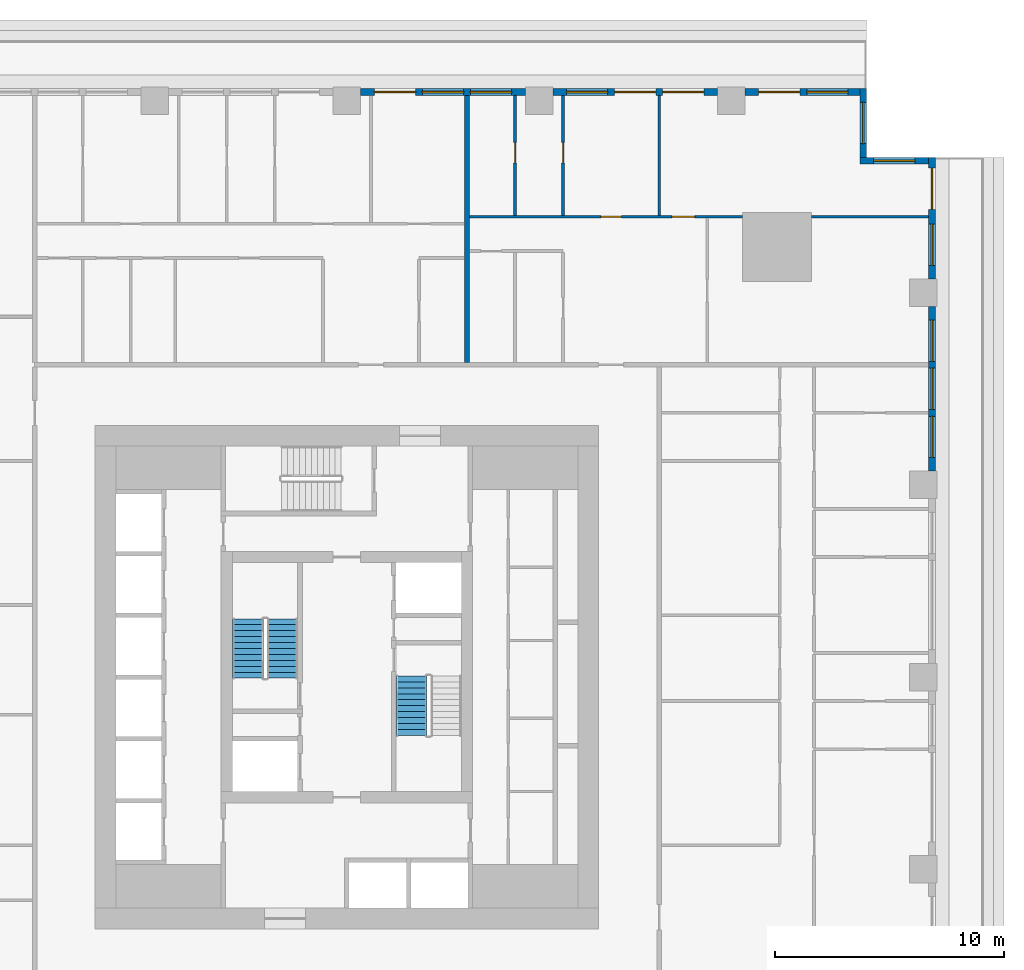
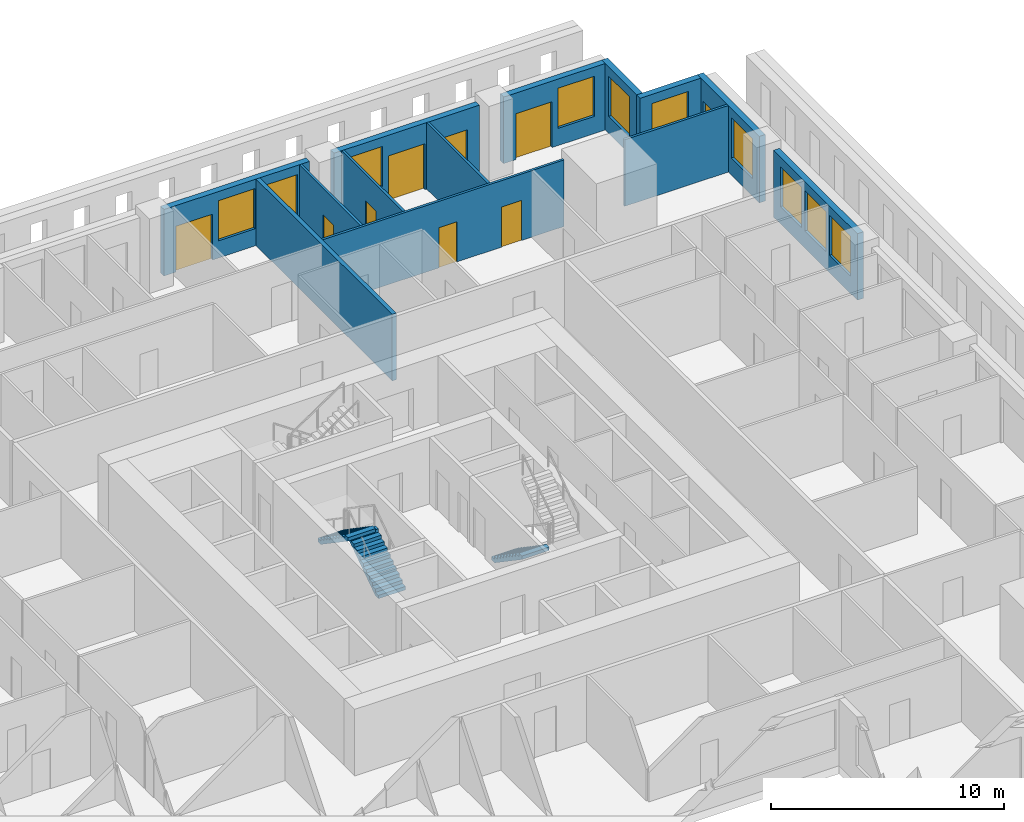
# One storey, part 9 of 15: 13 walls, 10 windows, 9 doors, 3 stair flights, 19 openings, 2 elements without a shape of their own.
"""IFC4 building model written with IfcOpenShell, lengths in metres."""

import ifcopenshell
import ifcopenshell.guid

model = None  # the IFC model being written
_history = None  # IfcOwnerHistory: only IFC2X3 demands one
_inside = {}  # id of a spatial element -> (the spatial element, [elements in it])
_under = {}  # id of a project, library or spatial element -> (it, [spatial elements below it])
_declared = {}  # id of a project -> (the project, [libraries it declares])
_typed = {}  # id of a type object -> (the type object, [elements of that type])
_made_of = {}  # id of a material, layer set ... -> (it, [elements and type objects made of it])


def new_model(schema):
    """Start an empty IFC model of exactly this schema.

    Asked for "IFC4X3", IfcOpenShell would pick the latest addendum, in which some entities
    have other attributes; the version numbers below select the first issue.
    IFC2X3 requires an IfcOwnerHistory on every rooted entity: one is made here for all.
    """
    global model, _history
    if schema == "IFC4X3":
        model = ifcopenshell.file(schema_version=(4, 3, 0, 0))
    else:
        model = ifcopenshell.file(schema=schema)
    _inside.clear()
    _under.clear()
    _declared.clear()
    _typed.clear()
    _made_of.clear()
    _history = None
    if model.schema == "IFC2X3":
        org = make("IfcOrganization", Name="unknown")
        user = make(
            "IfcPersonAndOrganization",
            ThePerson=make("IfcPerson", FamilyName="unknown"),
            TheOrganization=org,
        )
        app = make(
            "IfcApplication",
            ApplicationDeveloper=org,
            Version="unknown",
            ApplicationFullName="unknown",
            ApplicationIdentifier="unknown",
        )
        _history = make(
            "IfcOwnerHistory",
            OwningUser=user,
            OwningApplication=app,
            ChangeAction="ADDED",
            CreationDate=0,
        )
    return model


def make(cls, **values):
    """One entity of the class cls with the attributes given. An attribute that is None is left unset."""
    return model.create_entity(
        cls, **{name: value for name, value in values.items() if value is not None}
    )


def rooted(cls, **values):
    """An entity with a GlobalId (a new one), such as an element, a storey or a relation."""
    return make(cls, GlobalId=ifcopenshell.guid.new(), OwnerHistory=_history, **values)


def si_unit(unit_type, name, prefix=None):
    """IfcSIUnit, for example si_unit("LENGTHUNIT", "METRE", prefix="MILLI")."""
    return make("IfcSIUnit", UnitType=unit_type, Prefix=prefix, Name=name)


def assignment(units):
    """IfcUnitAssignment: the units of a project."""
    return None if units is None else make("IfcUnitAssignment", Units=units)


def point(xyz):
    """IfcCartesianPoint."""
    return None if xyz is None else make("IfcCartesianPoint", Coordinates=xyz)


def direction(xyz):
    """IfcDirection."""
    return None if xyz is None else make("IfcDirection", DirectionRatios=xyz)


def frame(location, z_axis=None, x_axis=None):
    """IfcAxis2Placement3D, a coordinate frame: its origin and axes. An axis left out is left unset."""
    return make(
        "IfcAxis2Placement3D",
        Location=point(location),
        Axis=direction(z_axis),
        RefDirection=direction(x_axis),
    )


def frame_2d(location, x_axis=None):
    """IfcAxis2Placement2D, a coordinate frame in the plane: its origin and x axis."""
    return make(
        "IfcAxis2Placement2D", Location=point(location), RefDirection=direction(x_axis)
    )


def origin():
    """The frame at (0, 0, 0) with its axes left unset."""
    return frame((0.0, 0.0, 0.0))


def place(relative_to, where):
    """IfcLocalPlacement: puts the frame where relative to a parent placement (None: the world)."""
    return make(
        "IfcLocalPlacement", PlacementRelTo=relative_to, RelativePlacement=where
    )


def context(
    kind, dimensions, precision=None, world=None, true_north=None, identifier=None
):
    """IfcGeometricRepresentationContext, for example the 3D "Model" context."""
    return make(
        "IfcGeometricRepresentationContext",
        ContextIdentifier=identifier,
        ContextType=kind,
        CoordinateSpaceDimension=dimensions,
        Precision=precision,
        WorldCoordinateSystem=world,
        TrueNorth=true_north,
    )


def subcontext(parent, identifier, kind, view, scale=None):
    """IfcGeometricRepresentationSubContext, for example "Body" below "Model"."""
    return make(
        "IfcGeometricRepresentationSubContext",
        ContextIdentifier=identifier,
        ContextType=kind,
        ParentContext=parent,
        TargetScale=scale,
        TargetView=view,
    )


def project(units=None, contexts=None):
    """IfcProject with its units and contexts."""
    return rooted(
        "IfcProject",
        Name="project",
        RepresentationContexts=contexts,
        UnitsInContext=assignment(units),
    )


def spatial(cls, under=None, at=None, **own):
    """A site, building, storey or space (cls), placed at a placement, below another one or the project."""
    s = rooted(cls, ObjectPlacement=at, **own)
    if under is not None:
        _under.setdefault(under.id(), (under, []))[1].append(s)
    return s


def polyline(points):
    """IfcPolyline through the points."""
    return make("IfcPolyline", Points=[point(p) for p in points])


def profile(cls, at=None, kind="AREA", **sizes):
    """A parametric profile (cls). Its sizes go by their IFC names, for example OverallWidth=200.0."""
    return make(cls, ProfileType=kind, Position=at, **sizes)


def rectangle(**sizes):
    """IfcRectangleProfileDef."""
    return profile("IfcRectangleProfileDef", **sizes)


def outline(outer, holes=None, kind="AREA"):
    """IfcArbitraryClosedProfileDef: a profile drawn as a closed curve; with holes, ...WithVoids."""
    if holes is None:
        return make("IfcArbitraryClosedProfileDef", ProfileType=kind, OuterCurve=outer)
    return make(
        "IfcArbitraryProfileDefWithVoids",
        ProfileType=kind,
        OuterCurve=outer,
        InnerCurves=holes,
    )


def extrude(swept, where, along, depth):
    """IfcExtrudedAreaSolid: the profile swept, set in the frame where, extruded along a direction by depth."""
    return make(
        "IfcExtrudedAreaSolid",
        SweptArea=swept,
        Position=where,
        ExtrudedDirection=direction(along),
        Depth=depth,
    )


def shape(context_of_items, identifier, shape_type, items):
    """IfcShapeRepresentation: the items that make up one representation, for example the "Body"."""
    return make(
        "IfcShapeRepresentation",
        ContextOfItems=context_of_items,
        RepresentationIdentifier=identifier,
        RepresentationType=shape_type,
        Items=items,
    )


def material(Name=None, Category=None):
    """IfcMaterial."""
    return make("IfcMaterial", Name=Name, Category=Category)


def layer(
    of_material, thickness, ventilated=None, Name=None, Category=None, Priority=None
):
    """IfcMaterialLayer: one layer of a wall or slab, of a material (None: an air gap)."""
    return make(
        "IfcMaterialLayer",
        Material=of_material,
        LayerThickness=thickness,
        IsVentilated=ventilated,
        Name=Name,
        Category=Category,
        Priority=Priority,
    )


def layer_set(layers, Name=None):
    """IfcMaterialLayerSet."""
    return make("IfcMaterialLayerSet", MaterialLayers=layers, LayerSetName=Name)


def made_of(thing, what):
    """Note that an element or type object is made of a material, layer set ...; save() writes the relation."""
    if what is not None:
        _made_of.setdefault(what.id(), (what, []))[1].append(thing)
    return thing


def type_object(cls, material=None, **own):
    """A type object (cls), such as IfcWallType, which elements share."""
    return made_of(rooted(cls, **own), material)


def element(
    cls,
    number,
    at=None,
    inside=None,
    cuts=None,
    type_object=None,
    material=None,
    context=None,
    identifier="Body",
    shape_type=None,
    held_by="IfcProductDefinitionShape",
    body=None,
    shapes=None,
    **own,
):
    """One element of the class cls, such as IfcWall. Its Tag is "e" and its number.

    at: its placement. inside: the storey or other place that contains it. cuts: it is an
    opening in that element (IfcRelVoidsElement). A single representation is given by context,
    identifier, shape_type and body (its items); several are given by shapes. held_by: the class
    of the entity that holds the representations. save() writes the other relations.
    """
    e = rooted(cls, Tag="e%d" % number, ObjectPlacement=at, **own)
    if body is not None:
        shapes = [shape(context, identifier, shape_type, body)]
    if shapes is not None:
        e.Representation = make(held_by, Representations=shapes)
    if inside is not None:
        _inside.setdefault(inside.id(), (inside, []))[1].append(e)
    if cuts is not None:
        rooted(
            "IfcRelVoidsElement", RelatingBuildingElement=cuts, RelatedOpeningElement=e
        )
    if type_object is not None:
        _typed.setdefault(type_object.id(), (type_object, []))[1].append(e)
    return made_of(e, material)


def fill(opening, filler):
    """IfcRelFillsElement: the door or window that sits in an opening."""
    return rooted(
        "IfcRelFillsElement",
        RelatingOpeningElement=opening,
        RelatedBuildingElement=filler,
    )


def aggregate(whole, parts):
    """IfcRelAggregates: a whole, such as a stair, and the parts it consists of."""
    return rooted("IfcRelAggregates", RelatingObject=whole, RelatedObjects=parts)


def save(model, path):
    """Write the relations noted so far, then the file.

    IfcRelAggregates (storeys below a building ...), IfcRelContainedInSpatialStructure (elements
    in a storey), IfcRelDefinesByType, IfcRelAssociatesMaterial and IfcRelDeclares: one each for
    every whole, place, type object, material and project.
    """
    for whole, parts in _under.values():
        aggregate(whole, parts)
    for where, things in _inside.values():
        rooted(
            "IfcRelContainedInSpatialStructure",
            RelatedElements=things,
            RelatingStructure=where,
        )
    for kind, things in _typed.values():
        rooted("IfcRelDefinesByType", RelatedObjects=things, RelatingType=kind)
    for what, things in _made_of.values():
        rooted("IfcRelAssociatesMaterial", RelatedObjects=things, RelatingMaterial=what)
    for by, libraries in _declared.values():
        rooted("IfcRelDeclares", RelatingContext=by, RelatedDefinitions=libraries)
    model.write(path)


model = new_model("IFC4")

# Units and contexts
model_context = context("Model", 3, precision=1e-05, world=origin(), true_north=direction((0.0, 1.0)))
body_context = subcontext(model_context, "Body", "Model", "MODEL_VIEW")
ifc_project = project(units=[si_unit("LENGTHUNIT", "METRE"), si_unit("AREAUNIT", "SQUARE_METRE"), si_unit("VOLUMEUNIT", "CUBIC_METRE"), si_unit("PLANEANGLEUNIT", "RADIAN"), si_unit("MASSUNIT", "GRAM", prefix="KILO")], contexts=[model_context])

# Site, building, storey
site_placement = place(None, origin())
site = spatial("IfcSite", under=ifc_project, at=site_placement, CompositionType="ELEMENT")
building_placement = place(site_placement, origin())
building = spatial("IfcBuilding", under=site, at=building_placement, Name="Khepri Terraces", CompositionType="ELEMENT")
storey_placement = place(building_placement, frame((0.0, 0.0, 46.5)))
storey = spatial("IfcBuildingStorey", under=building, at=storey_placement, Name="L10", CompositionType="ELEMENT", Elevation=46.5)

# Wall
ifc_material_1 = material(Name="Fire-rated gypsum plasterboard partition, mineral wool")
ifc_layer_1 = layer(ifc_material_1, 0.199951171875, Name="Fire-rated gypsum plasterboard partition, mineral wool")
ifc_layer_set_1 = layer_set([ifc_layer_1], Name="Fire-rated gypsum plasterboard partition, mineral wool")
wall_type_1 = type_object("IfcWallType", Name="WL-CORR-200", PredefinedType="PARTITIONING", material=ifc_layer_set_1)
wall_1_placement = place(storey_placement, frame((5.25, 13.75, 0.0), z_axis=(0.0, 0.0, 1.0), x_axis=(0.0, 1.0, 0.0)))
element("IfcWall", 1, at=wall_1_placement, inside=storey, type_object=wall_type_1, Name="Partition P-077 L10", PredefinedType="PARTITIONING", context=body_context, shape_type="SweptSolid", body=[
    extrude(rectangle(XDim=11.669921875, YDim=0.199951171875, at=frame_2d((5.8349609375, 0.0))), origin(), (0.0, 0.0, 1.0), 3.47998046875),
])

# Wall, openings, windows
ifc_material_2 = material(Name="Precast concrete C50/60 warm stone", Category="masonry")
ifc_layer_2 = layer(ifc_material_2, 0.300048828125, Name="Precast concrete C50/60 warm stone", Category="masonry")
ifc_layer_set_2 = layer_set([ifc_layer_2], Name="Precast concrete C50/60 warm stone")
wall_type_2 = type_object("IfcWallType", Name="WL-EXT-PRECAST-300", PredefinedType="STANDARD", material=ifc_layer_set_2)
wall_2_placement = place(storey_placement, frame((25.570068359375, 9.0, 0.0), z_axis=(0.0, 0.0, 1.0), x_axis=(0.0, 1.0, 0.0)))
wall_2 = element("IfcWall", 2, at=wall_2_placement, inside=storey, type_object=wall_type_2, Name="External wall L10 E", PredefinedType="STANDARD", context=body_context, shape_type="SweptSolid", body=[
    extrude(rectangle(XDim=7.199951171875, YDim=0.300048828125, at=frame_2d((3.60009765625, 0.0))), origin(), (0.0, 0.0, 1.0), 3.47998046875),
])
opening_1_placement = place(wall_2_placement, frame((0.60009765625, 0.0, 0.89990234375)))
opening_1 = element("IfcOpeningElement", 3, at=opening_1_placement, cuts=wall_2, Name="Opening W1", PredefinedType="OPENING", context=body_context, shape_type="SweptSolid", body=[
    extrude(rectangle(XDim=1.800048828125, YDim=2.10009765625, at=frame_2d((0.89990234375, 1.050048828125))), frame((0.0, 0.16015625, 0.0), z_axis=(0.0, -1.0, 0.0), x_axis=(1.0, 0.0, 0.0)), (0.0, 0.0, 1.0), 0.320068359375),
])
opening_2_placement = place(wall_2_placement, frame((2.699951171875, 0.0, 0.89990234375)))
opening_2 = element("IfcOpeningElement", 4, at=opening_2_placement, cuts=wall_2, Name="Opening W1", PredefinedType="OPENING", context=body_context, shape_type="SweptSolid", body=[
    extrude(rectangle(XDim=1.800048828125, YDim=2.10009765625, at=frame_2d((0.89990234375, 1.050048828125))), frame((0.0, 0.16015625, 0.0), z_axis=(0.0, -1.0, 0.0), x_axis=(1.0, 0.0, 0.0)), (0.0, 0.0, 1.0), 0.320068359375),
])
opening_3_placement = place(wall_2_placement, frame((4.800048828125, 0.0, 0.89990234375)))
opening_3 = element("IfcOpeningElement", 5, at=opening_3_placement, cuts=wall_2, Name="Opening W1", PredefinedType="OPENING", context=body_context, shape_type="SweptSolid", body=[
    extrude(rectangle(XDim=1.800048828125, YDim=2.10009765625, at=frame_2d((0.89990234375, 1.050048828125))), frame((0.0, 0.16015625, 0.0), z_axis=(0.0, -1.0, 0.0), x_axis=(1.0, 0.0, 0.0)), (0.0, 0.0, 1.0), 0.320068359375),
])
ifc_material_3 = material(Name="Clear glass", Category="glass")
window_type = type_object("IfcWindowType", Name="WIN-RES-1800x2100", PartitioningType="SINGLE_PANEL", PredefinedType="WINDOW", material=ifc_material_3)
window_1_placement = place(opening_1_placement, origin())
window_1 = element("IfcWindow", 6, at=window_1_placement, inside=storey, type_object=window_type, Name="Window L10 E", OverallHeight=2.10009765625, OverallWidth=1.800048828125, PartitioningType="SINGLE_PANEL", PredefinedType="WINDOW", context=body_context, shape_type="SweptSolid", body=[
    extrude(rectangle(XDim=1.800048828125, YDim=2.10009765625, at=frame_2d((0.89990234375, 1.050048828125))), frame((0.0, 0.030029296875, 0.0), z_axis=(0.0, -1.0, 0.0), x_axis=(1.0, 0.0, 0.0)), (0.0, 0.0, 1.0), 0.06005859375),
])
fill(opening_1, window_1)
window_2_placement = place(opening_2_placement, origin())
window_2 = element("IfcWindow", 7, at=window_2_placement, inside=storey, type_object=window_type, Name="Window L10 E", OverallHeight=2.10009765625, OverallWidth=1.800048828125, PartitioningType="SINGLE_PANEL", PredefinedType="WINDOW", context=body_context, shape_type="SweptSolid", body=[
    extrude(rectangle(XDim=1.800048828125, YDim=2.10009765625, at=frame_2d((0.89990234375, 1.050048828125))), frame((0.0, 0.030029296875, 0.0), z_axis=(0.0, -1.0, 0.0), x_axis=(1.0, 0.0, 0.0)), (0.0, 0.0, 1.0), 0.06005859375),
])
fill(opening_2, window_2)
window_3_placement = place(opening_3_placement, origin())
window_3 = element("IfcWindow", 8, at=window_3_placement, inside=storey, type_object=window_type, Name="Window L10 E", OverallHeight=2.10009765625, OverallWidth=1.800048828125, PartitioningType="SINGLE_PANEL", PredefinedType="WINDOW", context=body_context, shape_type="SweptSolid", body=[
    extrude(rectangle(XDim=1.800048828125, YDim=2.10009765625, at=frame_2d((0.89990234375, 1.050048828125))), frame((0.0, 0.030029296875, 0.0), z_axis=(0.0, -1.0, 0.0), x_axis=(1.0, 0.0, 0.0)), (0.0, 0.0, 1.0), 0.06005859375),
])
fill(opening_3, window_3)

# Wall, openings, door, window
wall_3_placement = place(storey_placement, frame((25.570068359375, 17.39990234375, 0.0), z_axis=(0.0, 0.0, 1.0), x_axis=(0.0, 1.0, 0.0)))
wall_3 = element("IfcWall", 9, at=wall_3_placement, inside=storey, type_object=wall_type_2, Name="External wall L10 E", PredefinedType="STANDARD", context=body_context, shape_type="SweptSolid", body=[
    extrude(rectangle(XDim=5.320068359375, YDim=0.300048828125, at=frame_2d((2.66015625, 0.0))), origin(), (0.0, 0.0, 1.0), 3.47998046875),
])
opening_4_placement = place(wall_3_placement, frame((0.60009765625, 0.0, 0.89990234375)))
opening_4 = element("IfcOpeningElement", 10, at=opening_4_placement, cuts=wall_3, Name="Opening W1", PredefinedType="OPENING", context=body_context, shape_type="SweptSolid", body=[
    extrude(rectangle(XDim=1.800048828125, YDim=2.10009765625, at=frame_2d((0.89990234375, 1.050048828125))), frame((0.0, 0.16015625, 0.0), z_axis=(0.0, -1.0, 0.0), x_axis=(1.0, 0.0, 0.0)), (0.0, 0.0, 1.0), 0.320068359375),
])
opening_5_placement = place(wall_3_placement, frame((3.044921875, 0.0, 0.0)))
opening_5 = element("IfcOpeningElement", 11, at=opening_5_placement, cuts=wall_3, Name="Opening ED-L10-05", PredefinedType="OPENING", context=body_context, shape_type="SweptSolid", body=[
    extrude(rectangle(XDim=1.800048828125, YDim=2.39990234375, at=frame_2d((0.89990234375, 1.199951171875))), frame((0.0, 0.16015625, 0.0), z_axis=(0.0, -1.0, 0.0), x_axis=(1.0, 0.0, 0.0)), (0.0, 0.0, 1.0), 0.320068359375),
])
ifc_material_4 = material(Name="Anodised aluminium bronze glazed door", Category="aluminium")
door_type_1 = type_object("IfcDoorType", Name="DR-BAL-SLIDE-1800x2400", OperationType="NOTDEFINED", PredefinedType="DOOR", material=ifc_material_4)
door_1_placement = place(opening_5_placement, origin())
door_1 = element("IfcDoor", 12, at=door_1_placement, inside=storey, type_object=door_type_1, Name="Balcony door L10 E", OperationType="SLIDING_TO_RIGHT", OverallHeight=2.39990234375, OverallWidth=1.800048828125, PredefinedType="DOOR", context=body_context, shape_type="SweptSolid", body=[
    extrude(rectangle(XDim=1.800048828125, YDim=2.39990234375, at=frame_2d((0.89990234375, 1.199951171875))), frame((0.0, 0.02490234375, 0.0), z_axis=(0.0, -1.0, 0.0), x_axis=(1.0, 0.0, 0.0)), (0.0, 0.0, 1.0), 0.050048828125),
])
fill(opening_5, door_1)
window_4_placement = place(opening_4_placement, origin())
window_4 = element("IfcWindow", 13, at=window_4_placement, inside=storey, type_object=window_type, Name="Window L10 E", OverallHeight=2.10009765625, OverallWidth=1.800048828125, PartitioningType="SINGLE_PANEL", PredefinedType="WINDOW", context=body_context, shape_type="SweptSolid", body=[
    extrude(rectangle(XDim=1.800048828125, YDim=2.10009765625, at=frame_2d((0.89990234375, 1.050048828125))), frame((0.0, 0.030029296875, 0.0), z_axis=(0.0, -1.0, 0.0), x_axis=(1.0, 0.0, 0.0)), (0.0, 0.0, 1.0), 0.06005859375),
])
fill(opening_4, window_4)

# Wall, opening, window
wall_4_placement = place(storey_placement, frame((25.419921875, 22.570068359375, 0.0), z_axis=(0.0, 0.0, 1.0), x_axis=(-1.0, 0.0, 0.0)))
wall_4 = element("IfcWall", 14, at=wall_4_placement, inside=storey, type_object=wall_type_2, Name="External wall L10 N", PredefinedType="STANDARD", context=body_context, shape_type="SweptSolid", body=[
    extrude(rectangle(XDim=3.0, YDim=0.300048828125, at=frame_2d((1.5, 0.0))), origin(), (0.0, 0.0, 1.0), 3.47998046875),
])
opening_6_placement = place(wall_4_placement, frame((0.60009765625, 0.0, 0.89990234375)))
opening_6 = element("IfcOpeningElement", 15, at=opening_6_placement, cuts=wall_4, Name="Opening W1", PredefinedType="OPENING", context=body_context, shape_type="SweptSolid", body=[
    extrude(rectangle(XDim=1.800048828125, YDim=2.10009765625, at=frame_2d((0.89990234375, 1.050048828125))), frame((0.0, 0.16015625, 0.0), z_axis=(0.0, -1.0, 0.0), x_axis=(1.0, 0.0, 0.0)), (0.0, 0.0, 1.0), 0.320068359375),
])
window_5_placement = place(opening_6_placement, origin())
window_5 = element("IfcWindow", 16, at=window_5_placement, inside=storey, type_object=window_type, Name="Window L10 N", OverallHeight=2.10009765625, OverallWidth=1.800048828125, PartitioningType="SINGLE_PANEL", PredefinedType="WINDOW", context=body_context, shape_type="SweptSolid", body=[
    extrude(rectangle(XDim=1.800048828125, YDim=2.10009765625, at=frame_2d((0.89990234375, 1.050048828125))), frame((0.0, 0.030029296875, 0.0), z_axis=(0.0, -1.0, 0.0), x_axis=(1.0, 0.0, 0.0)), (0.0, 0.0, 1.0), 0.06005859375),
])
fill(opening_6, window_5)

wall_5_placement = place(storey_placement, frame((22.570068359375, 22.719970703125, 0.0), z_axis=(0.0, 0.0, 1.0), x_axis=(0.0, 1.0, 0.0)))
wall_5 = element("IfcWall", 17, at=wall_5_placement, inside=storey, type_object=wall_type_2, Name="External wall L10 E", PredefinedType="STANDARD", context=body_context, shape_type="SweptSolid", body=[
    extrude(rectangle(XDim=3.0, YDim=0.300048828125, at=frame_2d((1.5, 0.0))), origin(), (0.0, 0.0, 1.0), 3.47998046875),
])
opening_7_placement = place(wall_5_placement, frame((0.60009765625, 0.0, 0.89990234375)))
opening_7 = element("IfcOpeningElement", 18, at=opening_7_placement, cuts=wall_5, Name="Opening W1", PredefinedType="OPENING", context=body_context, shape_type="SweptSolid", body=[
    extrude(rectangle(XDim=1.800048828125, YDim=2.10009765625, at=frame_2d((0.89990234375, 1.050048828125))), frame((0.0, 0.16015625, 0.0), z_axis=(0.0, -1.0, 0.0), x_axis=(1.0, 0.0, 0.0)), (0.0, 0.0, 1.0), 0.320068359375),
])
window_6_placement = place(opening_7_placement, origin())
window_6 = element("IfcWindow", 19, at=window_6_placement, inside=storey, type_object=window_type, Name="Window L10 E", OverallHeight=2.10009765625, OverallWidth=1.800048828125, PartitioningType="SINGLE_PANEL", PredefinedType="WINDOW", context=body_context, shape_type="SweptSolid", body=[
    extrude(rectangle(XDim=1.800048828125, YDim=2.10009765625, at=frame_2d((0.89990234375, 1.050048828125))), frame((0.0, 0.030029296875, 0.0), z_axis=(0.0, -1.0, 0.0), x_axis=(1.0, 0.0, 0.0)), (0.0, 0.0, 1.0), 0.06005859375),
])
fill(opening_7, window_6)

# Wall, openings, door, window
wall_6_placement = place(storey_placement, frame((22.419921875, 25.570068359375, 0.0), z_axis=(0.0, 0.0, 1.0), x_axis=(-1.0, 0.0, 0.0)))
wall_6 = element("IfcWall", 20, at=wall_6_placement, inside=storey, type_object=wall_type_2, Name="External wall L10 N", PredefinedType="STANDARD", context=body_context, shape_type="SweptSolid", body=[
    extrude(rectangle(XDim=5.02001953125, YDim=0.300048828125, at=frame_2d((2.510009765625, 0.0))), origin(), (0.0, 0.0, 1.0), 3.47998046875),
])
opening_8_placement = place(wall_6_placement, frame((0.52001953125, 0.0, 0.89990234375)))
opening_8 = element("IfcOpeningElement", 21, at=opening_8_placement, cuts=wall_6, Name="Opening W1", PredefinedType="OPENING", context=body_context, shape_type="SweptSolid", body=[
    extrude(rectangle(XDim=1.800048828125, YDim=2.10009765625, at=frame_2d((0.89990234375, 1.050048828125))), frame((0.0, 0.16015625, 0.0), z_axis=(0.0, -1.0, 0.0), x_axis=(1.0, 0.0, 0.0)), (0.0, 0.0, 1.0), 0.320068359375),
])
opening_9_placement = place(wall_6_placement, frame((2.6201171875, 0.0, 0.0)))
opening_9 = element("IfcOpeningElement", 22, at=opening_9_placement, cuts=wall_6, Name="Opening ED-L10-06", PredefinedType="OPENING", context=body_context, shape_type="SweptSolid", body=[
    extrude(rectangle(XDim=1.800048828125, YDim=2.39990234375, at=frame_2d((0.89990234375, 1.199951171875))), frame((0.0, 0.16015625, 0.0), z_axis=(0.0, -1.0, 0.0), x_axis=(1.0, 0.0, 0.0)), (0.0, 0.0, 1.0), 0.320068359375),
])
door_2_placement = place(opening_9_placement, origin())
door_2 = element("IfcDoor", 23, at=door_2_placement, inside=storey, type_object=door_type_1, Name="Balcony door L10 N", OperationType="SLIDING_TO_RIGHT", OverallHeight=2.39990234375, OverallWidth=1.800048828125, PredefinedType="DOOR", context=body_context, shape_type="SweptSolid", body=[
    extrude(rectangle(XDim=1.800048828125, YDim=2.39990234375, at=frame_2d((0.89990234375, 1.199951171875))), frame((0.0, 0.02490234375, 0.0), z_axis=(0.0, -1.0, 0.0), x_axis=(1.0, 0.0, 0.0)), (0.0, 0.0, 1.0), 0.050048828125),
])
fill(opening_9, door_2)
window_7_placement = place(opening_8_placement, origin())
window_7 = element("IfcWindow", 24, at=window_7_placement, inside=storey, type_object=window_type, Name="Window L10 N", OverallHeight=2.10009765625, OverallWidth=1.800048828125, PartitioningType="SINGLE_PANEL", PredefinedType="WINDOW", context=body_context, shape_type="SweptSolid", body=[
    extrude(rectangle(XDim=1.800048828125, YDim=2.10009765625, at=frame_2d((0.89990234375, 1.050048828125))), frame((0.0, 0.030029296875, 0.0), z_axis=(0.0, -1.0, 0.0), x_axis=(1.0, 0.0, 0.0)), (0.0, 0.0, 1.0), 0.06005859375),
])
fill(opening_8, window_7)

# Wall, openings, doors, window
wall_7_placement = place(storey_placement, frame((16.199951171875, 25.570068359375, 0.0), z_axis=(0.0, 0.0, 1.0), x_axis=(-1.0, 0.0, 0.0)))
wall_7 = element("IfcWall", 25, at=wall_7_placement, inside=storey, type_object=wall_type_2, Name="External wall L10 N", PredefinedType="STANDARD", context=body_context, shape_type="SweptSolid", body=[
    extrude(rectangle(XDim=7.199951171875, YDim=0.300048828125, at=frame_2d((3.60009765625, 0.0))), origin(), (0.0, 0.0, 1.0), 3.47998046875),
])
opening_10_placement = place(wall_7_placement, frame((0.60009765625, 0.0, 0.0)))
opening_10 = element("IfcOpeningElement", 26, at=opening_10_placement, cuts=wall_7, Name="Opening ED-L10-07", PredefinedType="OPENING", context=body_context, shape_type="SweptSolid", body=[
    extrude(rectangle(XDim=1.800048828125, YDim=2.39990234375, at=frame_2d((0.89990234375, 1.199951171875))), frame((0.0, 0.16015625, 0.0), z_axis=(0.0, -1.0, 0.0), x_axis=(1.0, 0.0, 0.0)), (0.0, 0.0, 1.0), 0.320068359375),
])
opening_11_placement = place(wall_7_placement, frame((2.699951171875, 0.0, 0.0)))
opening_11 = element("IfcOpeningElement", 27, at=opening_11_placement, cuts=wall_7, Name="Opening ED-L10-08", PredefinedType="OPENING", context=body_context, shape_type="SweptSolid", body=[
    extrude(rectangle(XDim=1.800048828125, YDim=2.39990234375, at=frame_2d((0.89990234375, 1.199951171875))), frame((0.0, 0.16015625, 0.0), z_axis=(0.0, -1.0, 0.0), x_axis=(1.0, 0.0, 0.0)), (0.0, 0.0, 1.0), 0.320068359375),
])
opening_12_placement = place(wall_7_placement, frame((4.800048828125, 0.0, 0.89990234375)))
opening_12 = element("IfcOpeningElement", 28, at=opening_12_placement, cuts=wall_7, Name="Opening W1", PredefinedType="OPENING", context=body_context, shape_type="SweptSolid", body=[
    extrude(rectangle(XDim=1.800048828125, YDim=2.10009765625, at=frame_2d((0.89990234375, 1.050048828125))), frame((0.0, 0.16015625, 0.0), z_axis=(0.0, -1.0, 0.0), x_axis=(1.0, 0.0, 0.0)), (0.0, 0.0, 1.0), 0.320068359375),
])
door_3_placement = place(opening_10_placement, origin())
door_3 = element("IfcDoor", 29, at=door_3_placement, inside=storey, type_object=door_type_1, Name="Balcony door L10 N", OperationType="SLIDING_TO_LEFT", OverallHeight=2.39990234375, OverallWidth=1.800048828125, PredefinedType="DOOR", context=body_context, shape_type="SweptSolid", body=[
    extrude(rectangle(XDim=1.800048828125, YDim=2.39990234375, at=frame_2d((0.89990234375, 1.199951171875))), frame((0.0, 0.02490234375, 0.0), z_axis=(0.0, -1.0, 0.0), x_axis=(1.0, 0.0, 0.0)), (0.0, 0.0, 1.0), 0.050048828125),
])
fill(opening_10, door_3)
door_4_placement = place(opening_11_placement, origin())
door_4 = element("IfcDoor", 30, at=door_4_placement, inside=storey, type_object=door_type_1, Name="Balcony door L10 N", OperationType="SLIDING_TO_RIGHT", OverallHeight=2.39990234375, OverallWidth=1.800048828125, PredefinedType="DOOR", context=body_context, shape_type="SweptSolid", body=[
    extrude(rectangle(XDim=1.800048828125, YDim=2.39990234375, at=frame_2d((0.89990234375, 1.199951171875))), frame((0.0, 0.02490234375, 0.0), z_axis=(0.0, -1.0, 0.0), x_axis=(1.0, 0.0, 0.0)), (0.0, 0.0, 1.0), 0.050048828125),
])
fill(opening_11, door_4)
window_8_placement = place(opening_12_placement, origin())
window_8 = element("IfcWindow", 31, at=window_8_placement, inside=storey, type_object=window_type, Name="Window L10 N", OverallHeight=2.10009765625, OverallWidth=1.800048828125, PartitioningType="SINGLE_PANEL", PredefinedType="WINDOW", context=body_context, shape_type="SweptSolid", body=[
    extrude(rectangle(XDim=1.800048828125, YDim=2.10009765625, at=frame_2d((0.89990234375, 1.050048828125))), frame((0.0, 0.030029296875, 0.0), z_axis=(0.0, -1.0, 0.0), x_axis=(1.0, 0.0, 0.0)), (0.0, 0.0, 1.0), 0.06005859375),
])
fill(opening_12, window_8)

# Wall, openings, door, windows
wall_8_placement = place(storey_placement, frame((7.800048828125, 25.570068359375, 0.0), z_axis=(0.0, 0.0, 1.0), x_axis=(-1.0, 0.0, 0.0)))
wall_8 = element("IfcWall", 32, at=wall_8_placement, inside=storey, type_object=wall_type_2, Name="External wall L10 N", PredefinedType="STANDARD", context=body_context, shape_type="SweptSolid", body=[
    extrude(rectangle(XDim=7.199951171875, YDim=0.300048828125, at=frame_2d((3.60009765625, 0.0))), origin(), (0.0, 0.0, 1.0), 3.47998046875),
])
opening_13_placement = place(wall_8_placement, frame((0.60009765625, 0.0, 0.89990234375)))
opening_13 = element("IfcOpeningElement", 33, at=opening_13_placement, cuts=wall_8, Name="Opening W1", PredefinedType="OPENING", context=body_context, shape_type="SweptSolid", body=[
    extrude(rectangle(XDim=1.800048828125, YDim=2.10009765625, at=frame_2d((0.89990234375, 1.050048828125))), frame((0.0, 0.16015625, 0.0), z_axis=(0.0, -1.0, 0.0), x_axis=(1.0, 0.0, 0.0)), (0.0, 0.0, 1.0), 0.320068359375),
])
opening_14_placement = place(wall_8_placement, frame((2.699951171875, 0.0, 0.89990234375)))
opening_14 = element("IfcOpeningElement", 34, at=opening_14_placement, cuts=wall_8, Name="Opening W1", PredefinedType="OPENING", context=body_context, shape_type="SweptSolid", body=[
    extrude(rectangle(XDim=1.800048828125, YDim=2.10009765625, at=frame_2d((0.89990234375, 1.050048828125))), frame((0.0, 0.16015625, 0.0), z_axis=(0.0, -1.0, 0.0), x_axis=(1.0, 0.0, 0.0)), (0.0, 0.0, 1.0), 0.320068359375),
])
opening_15_placement = place(wall_8_placement, frame((4.800048828125, 0.0, 0.0)))
opening_15 = element("IfcOpeningElement", 35, at=opening_15_placement, cuts=wall_8, Name="Opening ED-L10-09", PredefinedType="OPENING", context=body_context, shape_type="SweptSolid", body=[
    extrude(rectangle(XDim=1.800048828125, YDim=2.39990234375, at=frame_2d((0.89990234375, 1.199951171875))), frame((0.0, 0.16015625, 0.0), z_axis=(0.0, -1.0, 0.0), x_axis=(1.0, 0.0, 0.0)), (0.0, 0.0, 1.0), 0.320068359375),
])
door_5_placement = place(opening_15_placement, origin())
door_5 = element("IfcDoor", 36, at=door_5_placement, inside=storey, type_object=door_type_1, Name="Balcony door L10 N", OperationType="SLIDING_TO_RIGHT", OverallHeight=2.39990234375, OverallWidth=1.800048828125, PredefinedType="DOOR", context=body_context, shape_type="SweptSolid", body=[
    extrude(rectangle(XDim=1.800048828125, YDim=2.39990234375, at=frame_2d((0.89990234375, 1.199951171875))), frame((0.0, 0.02490234375, 0.0), z_axis=(0.0, -1.0, 0.0), x_axis=(1.0, 0.0, 0.0)), (0.0, 0.0, 1.0), 0.050048828125),
])
fill(opening_15, door_5)
window_9_placement = place(opening_13_placement, origin())
window_9 = element("IfcWindow", 37, at=window_9_placement, inside=storey, type_object=window_type, Name="Window L10 N", OverallHeight=2.10009765625, OverallWidth=1.800048828125, PartitioningType="SINGLE_PANEL", PredefinedType="WINDOW", context=body_context, shape_type="SweptSolid", body=[
    extrude(rectangle(XDim=1.800048828125, YDim=2.10009765625, at=frame_2d((0.89990234375, 1.050048828125))), frame((0.0, 0.030029296875, 0.0), z_axis=(0.0, -1.0, 0.0), x_axis=(1.0, 0.0, 0.0)), (0.0, 0.0, 1.0), 0.06005859375),
])
fill(opening_13, window_9)
window_10_placement = place(opening_14_placement, origin())
window_10 = element("IfcWindow", 38, at=window_10_placement, inside=storey, type_object=window_type, Name="Window L10 N", OverallHeight=2.10009765625, OverallWidth=1.800048828125, PartitioningType="SINGLE_PANEL", PredefinedType="WINDOW", context=body_context, shape_type="SweptSolid", body=[
    extrude(rectangle(XDim=1.800048828125, YDim=2.10009765625, at=frame_2d((0.89990234375, 1.050048828125))), frame((0.0, 0.030029296875, 0.0), z_axis=(0.0, -1.0, 0.0), x_axis=(1.0, 0.0, 0.0)), (0.0, 0.0, 1.0), 0.06005859375),
])
fill(opening_14, window_10)

# Wall, openings, doors
ifc_material_5 = material(Name="Gypsum plasterboard partition")
ifc_layer_3 = layer(ifc_material_5, 0.1201171875, Name="Gypsum plasterboard partition")
ifc_layer_set_3 = layer_set([ifc_layer_3], Name="Gypsum plasterboard partition")
wall_type_3 = type_object("IfcWallType", Name="WL-PART-120", PredefinedType="PARTITIONING", material=ifc_layer_set_3)
wall_9_placement = place(storey_placement, frame((5.35009765625, 20.1201171875, 0.0), z_axis=(0.0, 0.0, 1.0), x_axis=(1.0, 0.0, 0.0)))
wall_9 = element("IfcWall", 39, at=wall_9_placement, inside=storey, type_object=wall_type_3, Name="Partition P-092 L10", PredefinedType="PARTITIONING", context=body_context, shape_type="SweptSolid", body=[
    extrude(rectangle(XDim=11.949951171875, YDim=0.1201171875, at=frame_2d((5.97509765625, 0.0))), origin(), (0.0, 0.0, 1.0), 3.47998046875),
])
opening_16_placement = place(wall_9_placement, frame((8.85009765625, 0.0, 0.0)))
opening_16 = element("IfcOpeningElement", 40, at=opening_16_placement, cuts=wall_9, Name="Opening D2", PredefinedType="OPENING", context=body_context, shape_type="SweptSolid", body=[
    extrude(rectangle(XDim=1.0, YDim=2.10009765625, at=frame_2d((0.5, 1.050048828125))), frame((0.0, 0.070068359375, 0.0), z_axis=(0.0, -1.0, 0.0), x_axis=(1.0, 0.0, 0.0)), (0.0, 0.0, 1.0), 0.14013671875),
])
opening_17_placement = place(wall_9_placement, frame((5.75, 0.0, 0.0)))
opening_17 = element("IfcOpeningElement", 41, at=opening_17_placement, cuts=wall_9, Name="Opening D3", PredefinedType="OPENING", context=body_context, shape_type="SweptSolid", body=[
    extrude(rectangle(XDim=0.89990234375, YDim=2.10009765625, at=frame_2d((0.449951171875, 1.050048828125))), frame((0.0, 0.070068359375, 0.0), z_axis=(0.0, -1.0, 0.0), x_axis=(1.0, 0.0, 0.0)), (0.0, 0.0, 1.0), 0.14013671875),
])
ifc_material_6 = material(Name="Timber door leaf, living room door", Category="wood")
door_type_2 = type_object("IfcDoorType", Name="DR-INT-1000", OperationType="NOTDEFINED", PredefinedType="DOOR", material=ifc_material_6)
door_6_placement = place(opening_16_placement, origin())
door_6 = element("IfcDoor", 42, at=door_6_placement, inside=storey, type_object=door_type_2, Name="Door Living Room", OperationType="SINGLE_SWING_RIGHT", OverallHeight=2.10009765625, OverallWidth=1.0, PredefinedType="DOOR", context=body_context, shape_type="SweptSolid", body=[
    extrude(rectangle(XDim=1.0, YDim=2.10009765625, at=frame_2d((0.5, 1.050048828125))), frame((0.0, 0.02490234375, 0.0), z_axis=(0.0, -1.0, 0.0), x_axis=(1.0, 0.0, 0.0)), (0.0, 0.0, 1.0), 0.050048828125),
])
fill(opening_16, door_6)
ifc_material_7 = material(Name="Timber door leaf", Category="wood")
door_type_3 = type_object("IfcDoorType", Name="DR-INT-900", OperationType="NOTDEFINED", PredefinedType="DOOR", material=ifc_material_7)
door_7_placement = place(opening_17_placement, origin())
door_7 = element("IfcDoor", 43, at=door_7_placement, inside=storey, type_object=door_type_3, Name="Door Master Bedroom", OperationType="SINGLE_SWING_RIGHT", OverallHeight=2.10009765625, OverallWidth=0.89990234375, PredefinedType="DOOR", context=body_context, shape_type="SweptSolid", body=[
    extrude(rectangle(XDim=0.89990234375, YDim=2.10009765625, at=frame_2d((0.449951171875, 1.050048828125))), frame((0.0, 0.02490234375, 0.0), z_axis=(0.0, -1.0, 0.0), x_axis=(1.0, 0.0, 0.0)), (0.0, 0.0, 1.0), 0.050048828125),
])
fill(opening_17, door_7)

# Wall
wall_10_placement = place(storey_placement, frame((20.300048828125, 20.1201171875, 0.0), z_axis=(0.0, 0.0, 1.0), x_axis=(1.0, 0.0, 0.0)))
element("IfcWall", 44, at=wall_10_placement, inside=storey, type_object=wall_type_3, Name="Partition P-093 L10", PredefinedType="PARTITIONING", context=body_context, shape_type="SweptSolid", body=[
    extrude(rectangle(XDim=5.119873046875, YDim=0.1201171875, at=frame_2d((2.56005859375, 0.0))), origin(), (0.0, 0.0, 1.0), 3.47998046875),
])

# Wall, opening, door
wall_11_placement = place(storey_placement, frame((7.35009765625, 20.179931640625, 0.0), z_axis=(0.0, 0.0, 1.0), x_axis=(0.0, 1.0, 0.0)))
wall_11 = element("IfcWall", 45, at=wall_11_placement, inside=storey, type_object=wall_type_3, Name="Partition P-094 L10", PredefinedType="PARTITIONING", context=body_context, shape_type="SweptSolid", body=[
    extrude(rectangle(XDim=5.239990234375, YDim=0.1201171875, at=frame_2d((2.6201171875, 0.0))), origin(), (0.0, 0.0, 1.0), 3.47998046875),
])
opening_18_placement = place(wall_11_placement, frame((2.2900390625, 0.0, 0.0)))
opening_18 = element("IfcOpeningElement", 46, at=opening_18_placement, cuts=wall_11, Name="Opening D4", PredefinedType="OPENING", context=body_context, shape_type="SweptSolid", body=[
    extrude(rectangle(XDim=0.89990234375, YDim=2.10009765625, at=frame_2d((0.449951171875, 1.050048828125))), frame((0.0, 0.070068359375, 0.0), z_axis=(0.0, -1.0, 0.0), x_axis=(1.0, 0.0, 0.0)), (0.0, 0.0, 1.0), 0.14013671875),
])
ifc_material_8 = material(Name="Timber door leaf, moisture resistant", Category="wood")
door_type_4 = type_object("IfcDoorType", Name="DR-WET-900", OperationType="NOTDEFINED", PredefinedType="DOOR", material=ifc_material_8)
door_8_placement = place(opening_18_placement, origin())
door_8 = element("IfcDoor", 47, at=door_8_placement, inside=storey, type_object=door_type_4, Name="Door Bathroom", OperationType="SINGLE_SWING_RIGHT", OverallHeight=2.10009765625, OverallWidth=0.89990234375, PredefinedType="DOOR", context=body_context, shape_type="SweptSolid", body=[
    extrude(rectangle(XDim=0.89990234375, YDim=2.10009765625, at=frame_2d((0.449951171875, 1.050048828125))), frame((0.0, 0.02490234375, 0.0), z_axis=(0.0, -1.0, 0.0), x_axis=(1.0, 0.0, 0.0)), (0.0, 0.0, 1.0), 0.050048828125),
])
fill(opening_18, door_8)

wall_12_placement = place(storey_placement, frame((9.449951171875, 20.179931640625, 0.0), z_axis=(0.0, 0.0, 1.0), x_axis=(0.0, 1.0, 0.0)))
wall_12 = element("IfcWall", 48, at=wall_12_placement, inside=storey, type_object=wall_type_3, Name="Partition P-095 L10", PredefinedType="PARTITIONING", context=body_context, shape_type="SweptSolid", body=[
    extrude(rectangle(XDim=5.239990234375, YDim=0.1201171875, at=frame_2d((2.6201171875, 0.0))), origin(), (0.0, 0.0, 1.0), 3.47998046875),
])
opening_19_placement = place(wall_12_placement, frame((2.2900390625, 0.0, 0.0)))
opening_19 = element("IfcOpeningElement", 49, at=opening_19_placement, cuts=wall_12, Name="Opening D3", PredefinedType="OPENING", context=body_context, shape_type="SweptSolid", body=[
    extrude(rectangle(XDim=0.89990234375, YDim=2.10009765625, at=frame_2d((0.449951171875, 1.050048828125))), frame((0.0, 0.070068359375, 0.0), z_axis=(0.0, -1.0, 0.0), x_axis=(1.0, 0.0, 0.0)), (0.0, 0.0, 1.0), 0.14013671875),
])
door_9_placement = place(opening_19_placement, origin())
door_9 = element("IfcDoor", 50, at=door_9_placement, inside=storey, type_object=door_type_3, Name="Door Dressing Room", OperationType="SINGLE_SWING_RIGHT", OverallHeight=2.10009765625, OverallWidth=0.89990234375, PredefinedType="DOOR", context=body_context, shape_type="SweptSolid", body=[
    extrude(rectangle(XDim=0.89990234375, YDim=2.10009765625, at=frame_2d((0.449951171875, 1.050048828125))), frame((0.0, 0.02490234375, 0.0), z_axis=(0.0, -1.0, 0.0), x_axis=(1.0, 0.0, 0.0)), (0.0, 0.0, 1.0), 0.050048828125),
])
fill(opening_19, door_9)

# Wall
wall_13_placement = place(storey_placement, frame((13.64990234375, 20.179931640625, 0.0), z_axis=(0.0, 0.0, 1.0), x_axis=(0.0, 1.0, 0.0)))
element("IfcWall", 51, at=wall_13_placement, inside=storey, type_object=wall_type_3, Name="Partition P-096 L10", PredefinedType="PARTITIONING", context=body_context, shape_type="SweptSolid", body=[
    extrude(rectangle(XDim=5.239990234375, YDim=0.1201171875, at=frame_2d((2.6201171875, 0.0))), origin(), (0.0, 0.0, 1.0), 3.47998046875),
])

# Stair, stair flights
ifc_material_9 = material(Name="Concrete C40/50", Category="concrete")
stair_type = type_object("IfcStairType", Name="STAIR-RC-22R", PredefinedType="HALF_TURN_STAIR", material=ifc_material_9)
stair_1_placement = place(storey_placement, origin())
stair_1 = element("IfcStair", 52, at=stair_1_placement, inside=storey, type_object=stair_type, Name="L10 Exit Stair ST-1", PredefinedType="HALF_TURN_STAIR")
stair_flight_type = type_object("IfcStairFlightType", Name="SFL-RC-177.3", PredefinedType="STRAIGHT", material=ifc_material_9)
stair_flight_1_placement = place(storey_placement, frame((-2.824951171875, -0.050048828125, 0.0), z_axis=(0.0, 0.0, 1.0), x_axis=(0.0, 1.0, 0.0)))
stair_flight_1 = element("IfcStairFlight", 53, at=stair_flight_1_placement, type_object=stair_flight_type, Name="ST-1 flight 1", NumberOfRisers=11, NumberOfTreads=10, PredefinedType="STRAIGHT", RiserHeight=0.177272727, TreadLength=0.26, context=body_context, shape_type="SweptSolid", body=[
    extrude(outline(polyline([(0.0, 0.0), (0.0, 0.17724609375), (0.260009765625, 0.17724609375), (0.260009765625, 0.3544921875), (0.52001953125, 0.3544921875), (0.52001953125, 0.53173828125), (0.780029296875, 0.53173828125), (0.780029296875, 0.708984375), (1.0400390625, 0.708984375), (1.0400390625, 0.886474609375), (1.300048828125, 0.886474609375), (1.300048828125, 1.063720703125), (1.56005859375, 1.063720703125), (1.56005859375, 1.240966796875), (1.820068359375, 1.240966796875), (1.820068359375, 1.418212890625), (2.080078125, 1.418212890625), (2.080078125, 1.595458984375), (2.340087890625, 1.595458984375), (2.340087890625, 1.772705078125), (2.60009765625, 1.772705078125), (2.60009765625, 1.949951171875), (2.60009765625, 1.59130859375), (0.26611328125, 0.0), (0.0, 0.0)])), frame((0.0, 0.675048828125, 0.0), z_axis=(0.0, -1.0, 0.0), x_axis=(1.0, 0.0, 0.0)), (0.0, 0.0, 1.0), 1.35009765625),
])
stair_flight_2_placement = place(storey_placement, frame((-4.324951171875, 2.550048828125, 1.949951171875), z_axis=(0.0, 0.0, 1.0), x_axis=(0.0, -1.0, 0.0)))
stair_flight_2 = element("IfcStairFlight", 54, at=stair_flight_2_placement, type_object=stair_flight_type, Name="ST-1 flight 2", NumberOfRisers=11, NumberOfTreads=10, PredefinedType="STRAIGHT", RiserHeight=0.177272727, TreadLength=0.26, context=body_context, shape_type="SweptSolid", body=[
    extrude(outline(polyline([(0.0, 0.0), (0.0, 0.17724609375), (0.260009765625, 0.17724609375), (0.260009765625, 0.3544921875), (0.52001953125, 0.3544921875), (0.52001953125, 0.53173828125), (0.780029296875, 0.53173828125), (0.780029296875, 0.708984375), (1.0400390625, 0.708984375), (1.0400390625, 0.886474609375), (1.300048828125, 0.886474609375), (1.300048828125, 1.063720703125), (1.56005859375, 1.063720703125), (1.56005859375, 1.240966796875), (1.820068359375, 1.240966796875), (1.820068359375, 1.418212890625), (2.080078125, 1.418212890625), (2.080078125, 1.595458984375), (2.340087890625, 1.595458984375), (2.340087890625, 1.772705078125), (2.60009765625, 1.772705078125), (2.60009765625, 1.949951171875), (2.60009765625, 1.59130859375), (0.26611328125, 0.0), (0.0, 0.0)])), frame((0.0, 0.675048828125, 0.0), z_axis=(0.0, -1.0, 0.0), x_axis=(1.0, 0.0, 0.0)), (0.0, 0.0, 1.0), 1.35009765625),
])
aggregate(stair_1, [stair_flight_1, stair_flight_2])

# Stair, stair flight
stair_2_placement = place(storey_placement, origin())
stair_2 = element("IfcStair", 55, at=stair_2_placement, inside=storey, type_object=stair_type, Name="L10 Exit Stair ST-2", PredefinedType="HALF_TURN_STAIR")
stair_flight_3_placement = place(storey_placement, frame((2.824951171875, 0.050048828125, 0.0), z_axis=(0.0, 0.0, 1.0), x_axis=(0.0, -1.0, 0.0)))
stair_flight_3 = element("IfcStairFlight", 56, at=stair_flight_3_placement, type_object=stair_flight_type, Name="ST-2 flight 1", NumberOfRisers=11, NumberOfTreads=10, PredefinedType="STRAIGHT", RiserHeight=0.177272727, TreadLength=0.26, context=body_context, shape_type="SweptSolid", body=[
    extrude(outline(polyline([(0.0, 0.0), (0.0, 0.17724609375), (0.260009765625, 0.17724609375), (0.260009765625, 0.3544921875), (0.52001953125, 0.3544921875), (0.52001953125, 0.53173828125), (0.780029296875, 0.53173828125), (0.780029296875, 0.708984375), (1.0400390625, 0.708984375), (1.0400390625, 0.886474609375), (1.300048828125, 0.886474609375), (1.300048828125, 1.063720703125), (1.56005859375, 1.063720703125), (1.56005859375, 1.240966796875), (1.820068359375, 1.240966796875), (1.820068359375, 1.418212890625), (2.080078125, 1.418212890625), (2.080078125, 1.595458984375), (2.340087890625, 1.595458984375), (2.340087890625, 1.772705078125), (2.60009765625, 1.772705078125), (2.60009765625, 1.949951171875), (2.60009765625, 1.59130859375), (0.26611328125, 0.0), (0.0, 0.0)])), frame((0.0, 0.675048828125, 0.0), z_axis=(0.0, -1.0, 0.0), x_axis=(1.0, 0.0, 0.0)), (0.0, 0.0, 1.0), 1.35009765625),
])
aggregate(stair_2, [stair_flight_3])

save(model, "model.ifc")
